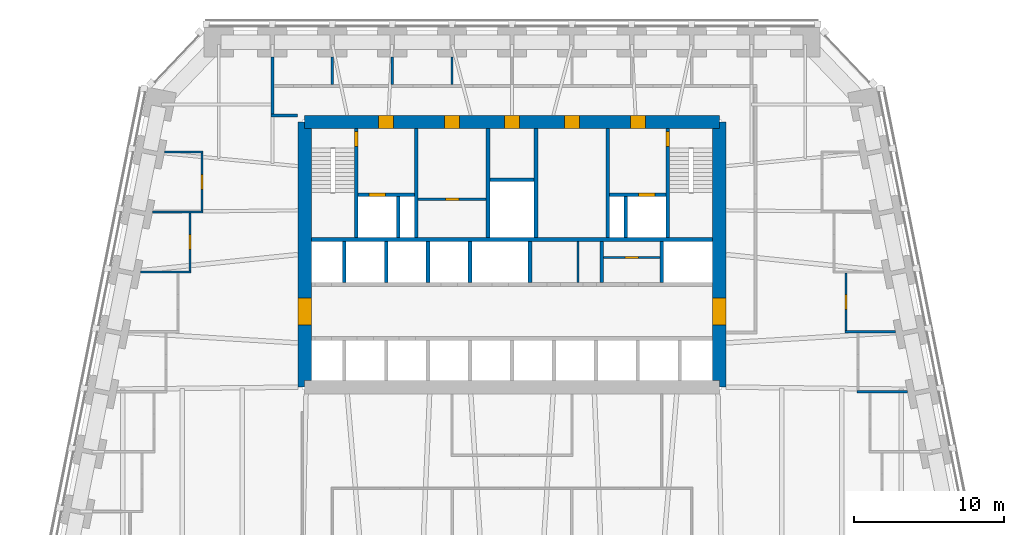
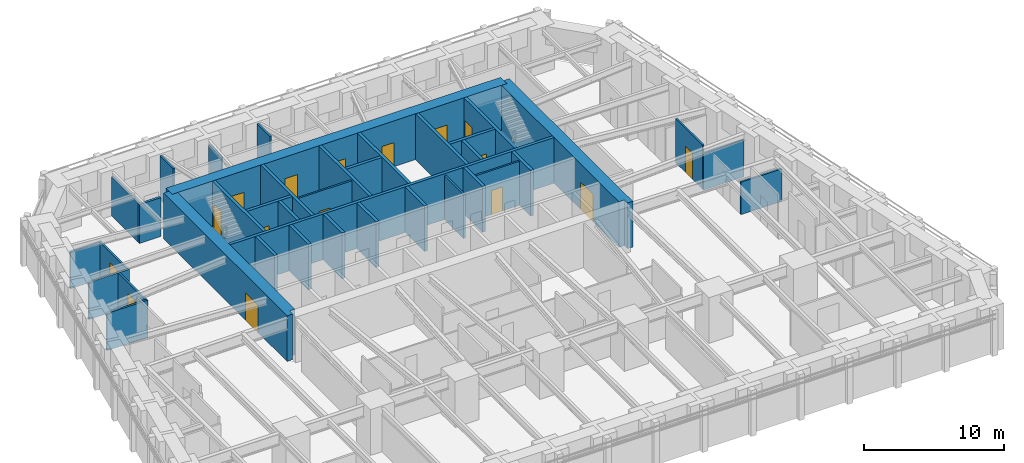
# One storey, part 7 of 10: 38 walls, 16 doors, 16 openings.
"""IFC4 building model written with IfcOpenShell, lengths in metres."""

from ifc_helpers import new_model, si_unit, direction, frame, frame_2d, origin, place, context, subcontext, project, spatial, polyline, rectangle, outline, extrude, material, layer, layer_set, type_object, element, fill, save


model = new_model("IFC4")

# Units and contexts
model_context = context("Model", 3, precision=1e-05, world=origin(), true_north=direction((0.0, 1.0)))
body_context = subcontext(model_context, "Body", "Model", "MODEL_VIEW")
ifc_project = project(units=[si_unit("LENGTHUNIT", "METRE"), si_unit("AREAUNIT", "SQUARE_METRE"), si_unit("VOLUMEUNIT", "CUBIC_METRE"), si_unit("PLANEANGLEUNIT", "RADIAN"), si_unit("MASSUNIT", "GRAM", prefix="KILO")], contexts=[model_context])

# Site, building, storey
site_placement = place(None, origin())
site = spatial("IfcSite", under=ifc_project, at=site_placement, CompositionType="ELEMENT")
building_placement = place(site_placement, origin())
building = spatial("IfcBuilding", under=site, at=building_placement, Name="Isbrekke Arena Tower", CompositionType="ELEMENT")
storey_placement = place(building_placement, frame((0.0, 0.0, 84.0)))
storey = spatial("IfcBuildingStorey", under=building, at=storey_placement, Name="L18", CompositionType="ELEMENT", Elevation=84.0)

# Wall, opening, door
ifc_material_1 = material(Name="Concrete B65 (C65/80)", Category="concrete")
ifc_layer_1 = layer(ifc_material_1, 0.89990234375)
ifc_layer_set_1 = layer_set([ifc_layer_1], Name="CW2 CORE WALL 900")
wall_type_1 = type_object("IfcWallType", Name="CW2 CORE WALL 900", PredefinedType="SHEAR", material=ifc_layer_set_1)
wall_1_placement = place(storey_placement, frame((13.85009765625, 6.14990234375, 0.0), z_axis=(0.0, 0.0, 1.0), x_axis=(0.0, 1.0, 0.0)))
wall_1 = element("IfcWall", 1, at=wall_1_placement, inside=storey, type_object=wall_type_1, Name="Core wall E L18", PredefinedType="SHEAR", context=body_context, shape_type="SweptSolid", body=[
    extrude(outline(polyline([(0.0, -0.449951171875), (17.7001953125, -0.449951171875), (17.7001953125, 0.0), (17.250244140625, 0.0), (17.250244140625, 0.449951171875), (0.449951171875, 0.449951171875), (0.449951171875, 0.0), (0.0, 0.0), (0.0, -0.449951171875)])), origin(), (0.0, 0.0, 1.0), 4.0),
])
opening_1_placement = place(wall_1_placement, frame((4.14990234375, 0.0, 0.0)))
opening_1 = element("IfcOpeningElement", 2, at=opening_1_placement, cuts=wall_1, Name="Opening D1", PredefinedType="OPENING", context=body_context, shape_type="SweptSolid", body=[
    extrude(rectangle(XDim=1.800048828125, YDim=2.39990234375, at=frame_2d((0.89990234375, 1.199951171875))), frame((0.0, 0.46484375, 0.0), z_axis=(0.0, -1.0, 0.0), x_axis=(1.0, 0.0, 0.0)), (0.0, 0.0, 1.0), 0.9296875),
])
ifc_material_2 = material(Name="Steel-framed glazed fire door", Category="steel")
door_type_1 = type_object("IfcDoorType", Name="D1 CORE LOBBY DOOR 1800 x 2400", OperationType="DOUBLE_DOOR_SINGLE_SWING", PredefinedType="DOOR", material=ifc_material_2)
door_1_placement = place(opening_1_placement, origin())
door_1 = element("IfcDoor", 3, at=door_1_placement, inside=storey, type_object=door_type_1, Name="D1 lift lobby door east L18", OperationType="DOUBLE_DOOR_SINGLE_SWING", OverallHeight=2.39990234375, OverallWidth=1.800048828125, PredefinedType="DOOR", context=body_context, shape_type="SweptSolid", body=[
    extrude(rectangle(XDim=1.800048828125, YDim=2.39990234375, at=frame_2d((0.89990234375, 1.199951171875))), frame((0.0, 0.44970703125, 0.0), z_axis=(0.0, -1.0, 0.0), x_axis=(1.0, 0.0, 0.0)), (0.0, 0.0, 1.0), 0.8994140625),
])
fill(opening_1, door_1)

# Wall, openings, doors
wall_2_placement = place(storey_placement, frame((13.85009765625, 23.85009765625, 0.0), z_axis=(0.0, 0.0, 1.0), x_axis=(-1.0, 0.0, 0.0)))
wall_2 = element("IfcWall", 4, at=wall_2_placement, inside=storey, type_object=wall_type_1, Name="Core wall N L18", PredefinedType="SHEAR", context=body_context, shape_type="SweptSolid", body=[
    extrude(rectangle(XDim=27.7001953125, YDim=0.89990234375, at=frame_2d((13.85009765625, 0.0))), origin(), (0.0, 0.0, 1.0), 4.0),
])
opening_2_placement = place(wall_2_placement, frame((21.75, 0.0, 0.0)))
opening_2 = element("IfcOpeningElement", 5, at=opening_2_placement, cuts=wall_2, Name="Opening D3", PredefinedType="OPENING", context=body_context, shape_type="SweptSolid", body=[
    extrude(rectangle(XDim=1.0, YDim=2.10009765625, at=frame_2d((0.5, 1.050048828125))), frame((0.0, 0.46484375, 0.0), z_axis=(0.0, -1.0, 0.0), x_axis=(1.0, 0.0, 0.0)), (0.0, 0.0, 1.0), 0.9296875),
])
opening_3_placement = place(wall_2_placement, frame((4.949951171875, 0.0, 0.0)))
opening_3 = element("IfcOpeningElement", 6, at=opening_3_placement, cuts=wall_2, Name="Opening D3", PredefinedType="OPENING", context=body_context, shape_type="SweptSolid", body=[
    extrude(rectangle(XDim=1.0, YDim=2.10009765625, at=frame_2d((0.5, 1.050048828125))), frame((0.0, 0.46484375, 0.0), z_axis=(0.0, -1.0, 0.0), x_axis=(1.0, 0.0, 0.0)), (0.0, 0.0, 1.0), 0.9296875),
])
opening_4_placement = place(wall_2_placement, frame((17.35009765625, 0.0, 0.0)))
opening_4 = element("IfcOpeningElement", 7, at=opening_4_placement, cuts=wall_2, Name="Opening D4", PredefinedType="OPENING", context=body_context, shape_type="SweptSolid", body=[
    extrude(rectangle(XDim=1.0, YDim=2.10009765625, at=frame_2d((0.5, 1.050048828125))), frame((0.0, 0.46484375, 0.0), z_axis=(0.0, -1.0, 0.0), x_axis=(1.0, 0.0, 0.0)), (0.0, 0.0, 1.0), 0.9296875),
])
opening_5_placement = place(wall_2_placement, frame((13.35009765625, 0.0, 0.0)))
opening_5 = element("IfcOpeningElement", 8, at=opening_5_placement, cuts=wall_2, Name="Opening D4", PredefinedType="OPENING", context=body_context, shape_type="SweptSolid", body=[
    extrude(rectangle(XDim=1.0, YDim=2.10009765625, at=frame_2d((0.5, 1.050048828125))), frame((0.0, 0.46484375, 0.0), z_axis=(0.0, -1.0, 0.0), x_axis=(1.0, 0.0, 0.0)), (0.0, 0.0, 1.0), 0.9296875),
])
opening_6_placement = place(wall_2_placement, frame((9.35009765625, 0.0, 0.0)))
opening_6 = element("IfcOpeningElement", 9, at=opening_6_placement, cuts=wall_2, Name="Opening D4", PredefinedType="OPENING", context=body_context, shape_type="SweptSolid", body=[
    extrude(rectangle(XDim=1.0, YDim=2.10009765625, at=frame_2d((0.5, 1.050048828125))), frame((0.0, 0.46484375, 0.0), z_axis=(0.0, -1.0, 0.0), x_axis=(1.0, 0.0, 0.0)), (0.0, 0.0, 1.0), 0.9296875),
])
ifc_material_3 = material(Name="Steel fire door", Category="steel")
door_type_2 = type_object("IfcDoorType", Name="D3 FIRE LOBBY DOOR 1000 x 2100", OperationType="SINGLE_SWING_RIGHT", PredefinedType="DOOR", material=ifc_material_3)
door_2_placement = place(opening_2_placement, origin())
door_2 = element("IfcDoor", 10, at=door_2_placement, inside=storey, type_object=door_type_2, Name="D3 fire-fighting lobby door L18", OperationType="SINGLE_SWING_RIGHT", OverallHeight=2.10009765625, OverallWidth=1.0, PredefinedType="DOOR", context=body_context, shape_type="SweptSolid", body=[
    extrude(rectangle(XDim=1.0, YDim=2.10009765625, at=frame_2d((0.5, 1.050048828125))), frame((0.0, 0.44970703125, 0.0), z_axis=(0.0, -1.0, 0.0), x_axis=(1.0, 0.0, 0.0)), (0.0, 0.0, 1.0), 0.8994140625),
])
fill(opening_2, door_2)
door_3_placement = place(opening_3_placement, origin())
door_3 = element("IfcDoor", 11, at=door_3_placement, inside=storey, type_object=door_type_2, Name="D3 fire-fighting lobby door L18", OperationType="SINGLE_SWING_RIGHT", OverallHeight=2.10009765625, OverallWidth=1.0, PredefinedType="DOOR", context=body_context, shape_type="SweptSolid", body=[
    extrude(rectangle(XDim=1.0, YDim=2.10009765625, at=frame_2d((0.5, 1.050048828125))), frame((0.0, 0.44970703125, 0.0), z_axis=(0.0, -1.0, 0.0), x_axis=(1.0, 0.0, 0.0)), (0.0, 0.0, 1.0), 0.8994140625),
])
fill(opening_3, door_3)
ifc_material_4 = material(Name="Timber door", Category="wood")
door_type_3 = type_object("IfcDoorType", Name="D4 WC DOOR 1000 x 2100", OperationType="SINGLE_SWING_LEFT", PredefinedType="DOOR", material=ifc_material_4)
door_4_placement = place(opening_4_placement, origin())
door_4 = element("IfcDoor", 12, at=door_4_placement, inside=storey, type_object=door_type_3, Name="D4 wc female door L18", OperationType="SINGLE_SWING_LEFT", OverallHeight=2.10009765625, OverallWidth=1.0, PredefinedType="DOOR", context=body_context, shape_type="SweptSolid", body=[
    extrude(rectangle(XDim=1.0, YDim=2.10009765625, at=frame_2d((0.5, 1.050048828125))), frame((0.0, 0.44970703125, 0.0), z_axis=(0.0, -1.0, 0.0), x_axis=(1.0, 0.0, 0.0)), (0.0, 0.0, 1.0), 0.8994140625),
])
fill(opening_4, door_4)
door_5_placement = place(opening_5_placement, origin())
door_5 = element("IfcDoor", 13, at=door_5_placement, inside=storey, type_object=door_type_3, Name="D4 accessible wc door L18", OperationType="SINGLE_SWING_LEFT", OverallHeight=2.10009765625, OverallWidth=1.0, PredefinedType="DOOR", context=body_context, shape_type="SweptSolid", body=[
    extrude(rectangle(XDim=1.0, YDim=2.10009765625, at=frame_2d((0.5, 1.050048828125))), frame((0.0, 0.44970703125, 0.0), z_axis=(0.0, -1.0, 0.0), x_axis=(1.0, 0.0, 0.0)), (0.0, 0.0, 1.0), 0.8994140625),
])
fill(opening_5, door_5)
door_6_placement = place(opening_6_placement, origin())
door_6 = element("IfcDoor", 14, at=door_6_placement, inside=storey, type_object=door_type_3, Name="D4 wc male door L18", OperationType="SINGLE_SWING_LEFT", OverallHeight=2.10009765625, OverallWidth=1.0, PredefinedType="DOOR", context=body_context, shape_type="SweptSolid", body=[
    extrude(rectangle(XDim=1.0, YDim=2.10009765625, at=frame_2d((0.5, 1.050048828125))), frame((0.0, 0.44970703125, 0.0), z_axis=(0.0, -1.0, 0.0), x_axis=(1.0, 0.0, 0.0)), (0.0, 0.0, 1.0), 0.8994140625),
])
fill(opening_6, door_6)

# Wall, opening, door
wall_3_placement = place(storey_placement, frame((-13.85009765625, 23.85009765625, 0.0), z_axis=(0.0, 0.0, 1.0), x_axis=(0.0, -1.0, 0.0)))
wall_3 = element("IfcWall", 15, at=wall_3_placement, inside=storey, type_object=wall_type_1, Name="Core wall W L18", PredefinedType="SHEAR", context=body_context, shape_type="SweptSolid", body=[
    extrude(outline(polyline([(0.0, -0.449951171875), (17.7001953125, -0.449951171875), (17.7001953125, 0.0), (17.250244140625, 0.0), (17.250244140625, 0.449951171875), (0.449951171875, 0.449951171875), (0.449951171875, 0.0), (0.0, 0.0), (0.0, -0.449951171875)])), origin(), (0.0, 0.0, 1.0), 4.0),
])
opening_7_placement = place(wall_3_placement, frame((11.75, 0.0, 0.0)))
opening_7 = element("IfcOpeningElement", 16, at=opening_7_placement, cuts=wall_3, Name="Opening D1", PredefinedType="OPENING", context=body_context, shape_type="SweptSolid", body=[
    extrude(rectangle(XDim=1.800048828125, YDim=2.39990234375, at=frame_2d((0.89990234375, 1.199951171875))), frame((0.0, 0.46484375, 0.0), z_axis=(0.0, -1.0, 0.0), x_axis=(1.0, 0.0, 0.0)), (0.0, 0.0, 1.0), 0.9296875),
])
door_7_placement = place(opening_7_placement, origin())
door_7 = element("IfcDoor", 17, at=door_7_placement, inside=storey, type_object=door_type_1, Name="D1 lift lobby door west L18", OperationType="DOUBLE_DOOR_SINGLE_SWING", OverallHeight=2.39990234375, OverallWidth=1.800048828125, PredefinedType="DOOR", context=body_context, shape_type="SweptSolid", body=[
    extrude(rectangle(XDim=1.800048828125, YDim=2.39990234375, at=frame_2d((0.89990234375, 1.199951171875))), frame((0.0, 0.44970703125, 0.0), z_axis=(0.0, -1.0, 0.0), x_axis=(1.0, 0.0, 0.0)), (0.0, 0.0, 1.0), 0.8994140625),
])
fill(opening_7, door_7)

# Walls
ifc_material_5 = material(Name="Concrete B45 (C45/55)", Category="concrete")
ifc_layer_2 = layer(ifc_material_5, 0.25)
ifc_layer_set_2 = layer_set([ifc_layer_2], Name="CW6 SHAFT WALL 250")
wall_type_2 = type_object("IfcWallType", Name="CW6 SHAFT WALL 250", PredefinedType="SHEAR", material=ifc_layer_set_2)
wall_4_placement = place(storey_placement, frame((-13.39990234375, 16.0, 0.0), z_axis=(0.0, 0.0, 1.0), x_axis=(1.0, 0.0, 0.0)))
element("IfcWall", 18, at=wall_4_placement, inside=storey, type_object=wall_type_2, Name="Core wall NB L18", PredefinedType="SHEAR", context=body_context, shape_type="SweptSolid", body=[
    extrude(rectangle(XDim=26.7998046875, YDim=0.25, at=frame_2d((13.39990234375, 0.0))), origin(), (0.0, 0.0, 1.0), 4.0),
])
for number, where, z_axis, x_axis, name in (
    (19, (-11.199951171875, 13.125, 0.0), (0.0, 0.0, 1.0), (0.0, 1.0, 0.0), "Core wall SN01 L18"),
    (20, (-8.39990234375, 13.125, 0.0), (0.0, 0.0, 1.0), (0.0, 1.0, 0.0), "Core wall SN02 L18"),
    (21, (-5.60009765625, 13.125, 0.0), (0.0, 0.0, 1.0), (0.0, 1.0, 0.0), "Core wall SN03 L18"),
    (22, (-2.800048828125, 13.125, 0.0), (0.0, 0.0, 1.0), (0.0, 1.0, 0.0), "Core wall SN04 L18"),
    (23, (1.199951171875, 13.125, 0.0), (0.0, 0.0, 1.0), (0.0, 1.0, 0.0), "Core wall SN05 L18"),
    (24, (6.0, 13.125, 0.0), (0.0, 0.0, 1.0), (0.0, 1.0, 0.0), "Core wall SN06 L18"),
    (25, (10.0, 13.125, 0.0), (0.0, 0.0, 1.0), (0.0, 1.0, 0.0), "Core wall SN07 L18"),
):
    element("IfcWall", number, at=place(storey_placement, frame(where, z_axis=z_axis, x_axis=x_axis)), inside=storey, type_object=wall_type_2, Name=name, PredefinedType="SHEAR", context=body_context, shape_type="SweptSolid", body=[
        extrude(rectangle(XDim=2.75, YDim=0.25, at=frame_2d((1.375, 0.0))), origin(), (0.0, 0.0, 1.0), 4.0),
    ])

# Wall, opening, door
wall_5_placement = place(storey_placement, frame((-10.39990234375, 16.125, 0.0), z_axis=(0.0, 0.0, 1.0), x_axis=(0.0, 1.0, 0.0)))
wall_5 = element("IfcWall", 26, at=wall_5_placement, inside=storey, type_object=wall_type_2, Name="Core wall NV01 L18", PredefinedType="SHEAR", context=body_context, shape_type="SweptSolid", body=[
    extrude(rectangle(XDim=7.27490234375, YDim=0.25, at=frame_2d((3.637451171875, 0.0))), origin(), (0.0, 0.0, 1.0), 4.0),
])
opening_8_placement = place(wall_5_placement, frame((6.074951171875, 0.0, 0.0)))
opening_8 = element("IfcOpeningElement", 27, at=opening_8_placement, cuts=wall_5, Name="Opening D2", PredefinedType="OPENING", context=body_context, shape_type="SweptSolid", body=[
    extrude(rectangle(XDim=1.0, YDim=2.10009765625, at=frame_2d((0.5, 1.050048828125))), frame((0.0, 0.139892578125, 0.0), z_axis=(0.0, -1.0, 0.0), x_axis=(1.0, 0.0, 0.0)), (0.0, 0.0, 1.0), 0.27978515625),
])
ifc_material_6 = material(Name="Steel fire door", Category="steel")
door_type_4 = type_object("IfcDoorType", Name="D2 STAIR DOOR 1000 x 2100", OperationType="SINGLE_SWING_LEFT", PredefinedType="DOOR", material=ifc_material_6)
door_8_placement = place(opening_8_placement, origin())
door_8 = element("IfcDoor", 28, at=door_8_placement, inside=storey, type_object=door_type_4, Name="D2 stair door ST1 L18", OperationType="SINGLE_SWING_LEFT", OverallHeight=2.10009765625, OverallWidth=1.0, PredefinedType="DOOR", context=body_context, shape_type="SweptSolid", body=[
    extrude(rectangle(XDim=1.0, YDim=2.10009765625, at=frame_2d((0.5, 1.050048828125))), frame((0.0, 0.124755859375, 0.0), z_axis=(0.0, -1.0, 0.0), x_axis=(1.0, 0.0, 0.0)), (0.0, 0.0, 1.0), 0.24951171875),
])
fill(opening_8, door_8)

# Walls
for number, where, z_axis, x_axis, name in (
    (29, (-6.39990234375, 16.125, 0.0), (0.0, 0.0, 1.0), (0.0, 1.0, 0.0), "Core wall NV02 L18"),
    (30, (-1.60009765625, 16.125, 0.0), (0.0, 0.0, 1.0), (0.0, 1.0, 0.0), "Core wall NV03 L18"),
    (31, (1.60009765625, 16.125, 0.0), (0.0, 0.0, 1.0), (0.0, 1.0, 0.0), "Core wall NV04 L18"),
    (32, (6.39990234375, 16.125, 0.0), (0.0, 0.0, 1.0), (0.0, 1.0, 0.0), "Core wall NV05 L18"),
):
    element("IfcWall", number, at=place(storey_placement, frame(where, z_axis=z_axis, x_axis=x_axis)), inside=storey, type_object=wall_type_2, Name=name, PredefinedType="SHEAR", context=body_context, shape_type="SweptSolid", body=[
        extrude(rectangle(XDim=7.27490234375, YDim=0.25, at=frame_2d((3.637451171875, 0.0))), origin(), (0.0, 0.0, 1.0), 4.0),
    ])

# Wall, opening, door
wall_6_placement = place(storey_placement, frame((10.39990234375, 16.125, 0.0), z_axis=(0.0, 0.0, 1.0), x_axis=(0.0, 1.0, 0.0)))
wall_6 = element("IfcWall", 33, at=wall_6_placement, inside=storey, type_object=wall_type_2, Name="Core wall NV06 L18", PredefinedType="SHEAR", context=body_context, shape_type="SweptSolid", body=[
    extrude(rectangle(XDim=7.27490234375, YDim=0.25, at=frame_2d((3.637451171875, 0.0))), origin(), (0.0, 0.0, 1.0), 4.0),
])
opening_9_placement = place(wall_6_placement, frame((6.074951171875, 0.0, 0.0)))
opening_9 = element("IfcOpeningElement", 34, at=opening_9_placement, cuts=wall_6, Name="Opening D2", PredefinedType="OPENING", context=body_context, shape_type="SweptSolid", body=[
    extrude(rectangle(XDim=1.0, YDim=2.10009765625, at=frame_2d((0.5, 1.050048828125))), frame((0.0, 0.139892578125, 0.0), z_axis=(0.0, -1.0, 0.0), x_axis=(1.0, 0.0, 0.0)), (0.0, 0.0, 1.0), 0.27978515625),
])
door_9_placement = place(opening_9_placement, origin())
door_9 = element("IfcDoor", 35, at=door_9_placement, inside=storey, type_object=door_type_4, Name="D2 stair door ST2 L18", OperationType="SINGLE_SWING_LEFT", OverallHeight=2.10009765625, OverallWidth=1.0, PredefinedType="DOOR", context=body_context, shape_type="SweptSolid", body=[
    extrude(rectangle(XDim=1.0, YDim=2.10009765625, at=frame_2d((0.5, 1.050048828125))), frame((0.0, 0.124755859375, 0.0), z_axis=(0.0, -1.0, 0.0), x_axis=(1.0, 0.0, 0.0)), (0.0, 0.0, 1.0), 0.24951171875),
])
fill(opening_9, door_9)

wall_7_placement = place(storey_placement, frame((-10.27490234375, 19.0, 0.0), z_axis=(0.0, 0.0, 1.0), x_axis=(1.0, 0.0, 0.0)))
wall_7 = element("IfcWall", 36, at=wall_7_placement, inside=storey, type_object=wall_type_2, Name="Core wall NFW L18", PredefinedType="SHEAR", context=body_context, shape_type="SweptSolid", body=[
    extrude(rectangle(XDim=3.75, YDim=0.25, at=frame_2d((1.875, 0.0))), origin(), (0.0, 0.0, 1.0), 4.0),
])
opening_10_placement = place(wall_7_placement, frame((0.72509765625, 0.0, 0.0)))
opening_10 = element("IfcOpeningElement", 37, at=opening_10_placement, cuts=wall_7, Name="Opening LD2", PredefinedType="OPENING", context=body_context, shape_type="SweptSolid", body=[
    extrude(rectangle(XDim=1.10009765625, YDim=2.10009765625, at=frame_2d((0.550048828125, 1.050048828125))), frame((0.0, 0.139892578125, 0.0), z_axis=(0.0, -1.0, 0.0), x_axis=(1.0, 0.0, 0.0)), (0.0, 0.0, 1.0), 0.27978515625),
])
ifc_material_7 = material(Name="Stainless steel lift landing door", Category="steel")
door_type_5 = type_object("IfcDoorType", Name="LD2 FIRE-FIGHTING LIFT LANDING DOOR 1100 x 2100", OperationType="SLIDING_TO_RIGHT", PredefinedType="DOOR", material=ifc_material_7)
door_10_placement = place(opening_10_placement, origin())
door_10 = element("IfcDoor", 38, at=door_10_placement, inside=storey, type_object=door_type_5, Name="LD2 lift landing door LF L18", OperationType="SLIDING_TO_RIGHT", OverallHeight=2.10009765625, OverallWidth=1.10009765625, PredefinedType="DOOR", context=body_context, shape_type="SweptSolid", body=[
    extrude(rectangle(XDim=1.10009765625, YDim=2.10009765625, at=frame_2d((0.550048828125, 1.050048828125))), frame((0.0, 0.124755859375, 0.0), z_axis=(0.0, -1.0, 0.0), x_axis=(1.0, 0.0, 0.0)), (0.0, 0.0, 1.0), 0.24951171875),
])
fill(opening_10, door_10)

wall_8_placement = place(storey_placement, frame((6.52490234375, 19.0, 0.0), z_axis=(0.0, 0.0, 1.0), x_axis=(1.0, 0.0, 0.0)))
wall_8 = element("IfcWall", 39, at=wall_8_placement, inside=storey, type_object=wall_type_2, Name="Core wall NFE L18", PredefinedType="SHEAR", context=body_context, shape_type="SweptSolid", body=[
    extrude(rectangle(XDim=3.75, YDim=0.25, at=frame_2d((1.875, 0.0))), origin(), (0.0, 0.0, 1.0), 4.0),
])
opening_11_placement = place(wall_8_placement, frame((1.925048828125, 0.0, 0.0)))
opening_11 = element("IfcOpeningElement", 40, at=opening_11_placement, cuts=wall_8, Name="Opening LD2", PredefinedType="OPENING", context=body_context, shape_type="SweptSolid", body=[
    extrude(rectangle(XDim=1.10009765625, YDim=2.10009765625, at=frame_2d((0.550048828125, 1.050048828125))), frame((0.0, 0.139892578125, 0.0), z_axis=(0.0, -1.0, 0.0), x_axis=(1.0, 0.0, 0.0)), (0.0, 0.0, 1.0), 0.27978515625),
])
door_11_placement = place(opening_11_placement, origin())
door_11 = element("IfcDoor", 41, at=door_11_placement, inside=storey, type_object=door_type_5, Name="LD2 lift landing door LF L18", OperationType="SLIDING_TO_RIGHT", OverallHeight=2.10009765625, OverallWidth=1.10009765625, PredefinedType="DOOR", context=body_context, shape_type="SweptSolid", body=[
    extrude(rectangle(XDim=1.10009765625, YDim=2.10009765625, at=frame_2d((0.550048828125, 1.050048828125))), frame((0.0, 0.124755859375, 0.0), z_axis=(0.0, -1.0, 0.0), x_axis=(1.0, 0.0, 0.0)), (0.0, 0.0, 1.0), 0.24951171875),
])
fill(opening_11, door_11)

# Walls
for number, where, z_axis, x_axis, name in (
    (42, (-7.60009765625, 16.125, 0.0), (0.0, 0.0, 1.0), (0.0, 1.0, 0.0), "Core wall NFS1 L18"),
    (43, (7.60009765625, 16.125, 0.0), (0.0, 0.0, 1.0), (0.0, 1.0, 0.0), "Core wall NFS2 L18"),
):
    element("IfcWall", number, at=place(storey_placement, frame(where, z_axis=z_axis, x_axis=x_axis)), inside=storey, type_object=wall_type_2, Name=name, PredefinedType="SHEAR", context=body_context, shape_type="SweptSolid", body=[
        extrude(rectangle(XDim=2.75, YDim=0.25, at=frame_2d((1.375, 0.0))), origin(), (0.0, 0.0, 1.0), 4.0),
    ])
wall_9_placement = place(storey_placement, frame((-1.47509765625, 20.0, 0.0), z_axis=(0.0, 0.0, 1.0), x_axis=(1.0, 0.0, 0.0)))
element("IfcWall", 44, at=wall_9_placement, inside=storey, type_object=wall_type_2, Name="Core wall NWC L18", PredefinedType="SHEAR", context=body_context, shape_type="SweptSolid", body=[
    extrude(rectangle(XDim=2.9501953125, YDim=0.25, at=frame_2d((1.47509765625, 0.0))), origin(), (0.0, 0.0, 1.0), 4.0),
])
ifc_material_8 = material(Name="Gypsum board partition on steel studs", Category="steel")
ifc_layer_3 = layer(ifc_material_8, 0.14990234375)
ifc_layer_set_3 = layer_set([ifc_layer_3], Name="IW1 PARTITION 150")
wall_type_3 = type_object("IfcWallType", Name="IW1 PARTITION 150", PredefinedType="PARTITIONING", material=ifc_layer_set_3)
wall_10_placement = place(storey_placement, frame((23.02490234375, 5.840087890625, 0.0), z_axis=(0.0, 0.0, 1.0), x_axis=(1.0, 0.0, 0.0)))
element("IfcWall", 45, at=wall_10_placement, inside=storey, type_object=wall_type_3, Name="IW1 partition 150 L18", PredefinedType="PARTITIONING", context=body_context, shape_type="SweptSolid", body=[
    extrude(rectangle(XDim=3.37158203125, YDim=0.14990234375, at=frame_2d((1.685791015625, 0.0))), origin(), (0.0, 0.0, 1.0), 2.842041015625),
])
for number, where, z_axis, x_axis, name in (
    (46, (22.22509765625, 9.840087890625, 0.0), (0.0, 0.0, 1.0), (1.0, 0.0, 0.0), "IW1 partition 150 L18"),
    (47, (-24.79638671875, 13.840087890625, 0.0), (0.0, 0.0, 1.0), (1.0, 0.0, 0.0), "IW1 partition 150 L18"),
    (48, (-23.996337890625, 17.840087890625, 0.0), (0.0, 0.0, 1.0), (1.0, 0.0, 0.0), "IW1 partition 150 L18"),
):
    element("IfcWall", number, at=place(storey_placement, frame(where, z_axis=z_axis, x_axis=x_axis)), inside=storey, type_object=wall_type_3, Name=name, PredefinedType="PARTITIONING", context=body_context, shape_type="SweptSolid", body=[
        extrude(rectangle(XDim=3.371337890625, YDim=0.14990234375, at=frame_2d((1.685546875, 0.0))), origin(), (0.0, 0.0, 1.0), 3.25),
    ])
wall_11_placement = place(storey_placement, frame((-23.1962890625, 21.840087890625, 0.0), z_axis=(0.0, 0.0, 1.0), x_axis=(1.0, 0.0, 0.0)))
element("IfcWall", 49, at=wall_11_placement, inside=storey, type_object=wall_type_3, Name="IW1 partition 150 L18", PredefinedType="PARTITIONING", context=body_context, shape_type="SweptSolid", body=[
    extrude(rectangle(XDim=2.5712890625, YDim=0.14990234375, at=frame_2d((1.28564453125, 0.0))), origin(), (0.0, 0.0, 1.0), 3.25),
])

# Wall, opening, door
wall_12_placement = place(storey_placement, frame((-21.5, 13.9150390625, 0.0), z_axis=(0.0, 0.0, 1.0), x_axis=(0.0, 1.0, 0.0)))
wall_12 = element("IfcWall", 50, at=wall_12_placement, inside=storey, type_object=wall_type_3, Name="IW1 partition 150 L18", PredefinedType="PARTITIONING", context=body_context, shape_type="SweptSolid", body=[
    extrude(rectangle(XDim=3.849853515625, YDim=0.14990234375, at=frame_2d((1.9248046875, 0.0))), origin(), (0.0, 0.0, 1.0), 3.25),
])
opening_12_placement = place(wall_12_placement, frame((1.425048828125, 0.0, 0.0)))
opening_12 = element("IfcOpeningElement", 51, at=opening_12_placement, cuts=wall_12, Name="Opening D10", PredefinedType="OPENING", context=body_context, shape_type="SweptSolid", body=[
    extrude(rectangle(XDim=1.0, YDim=2.300048828125, at=frame_2d((0.5, 1.14990234375))), frame((0.0, 0.08984375, 0.0), z_axis=(0.0, -1.0, 0.0), x_axis=(1.0, 0.0, 0.0)), (0.0, 0.0, 1.0), 0.1796875),
])
ifc_material_9 = material(Name="Timber door", Category="wood")
door_type_6 = type_object("IfcDoorType", Name="D10 OFFICE DOOR 1000 x 2300", OperationType="SINGLE_SWING_LEFT", PredefinedType="DOOR", material=ifc_material_9)
door_12_placement = place(opening_12_placement, origin())
door_12 = element("IfcDoor", 52, at=door_12_placement, inside=storey, type_object=door_type_6, Name="D10 office door L18", OperationType="SINGLE_SWING_LEFT", OverallHeight=2.300048828125, OverallWidth=1.0, PredefinedType="DOOR", context=body_context, shape_type="SweptSolid", body=[
    extrude(rectangle(XDim=1.0, YDim=2.300048828125, at=frame_2d((0.5, 1.14990234375))), frame((0.0, 0.07470703125, 0.0), z_axis=(0.0, -1.0, 0.0), x_axis=(1.0, 0.0, 0.0)), (0.0, 0.0, 1.0), 0.1494140625),
])
fill(opening_12, door_12)

wall_13_placement = place(storey_placement, frame((-20.699951171875, 17.9150390625, 0.0), z_axis=(0.0, 0.0, 1.0), x_axis=(0.0, 1.0, 0.0)))
wall_13 = element("IfcWall", 53, at=wall_13_placement, inside=storey, type_object=wall_type_3, Name="IW1 partition 150 L18", PredefinedType="PARTITIONING", context=body_context, shape_type="SweptSolid", body=[
    extrude(rectangle(XDim=3.849853515625, YDim=0.14990234375, at=frame_2d((1.9248046875, 0.0))), origin(), (0.0, 0.0, 1.0), 3.25),
])
opening_13_placement = place(wall_13_placement, frame((1.425048828125, 0.0, 0.0)))
opening_13 = element("IfcOpeningElement", 54, at=opening_13_placement, cuts=wall_13, Name="Opening D10", PredefinedType="OPENING", context=body_context, shape_type="SweptSolid", body=[
    extrude(rectangle(XDim=1.0, YDim=2.300048828125, at=frame_2d((0.5, 1.14990234375))), frame((0.0, 0.08984375, 0.0), z_axis=(0.0, -1.0, 0.0), x_axis=(1.0, 0.0, 0.0)), (0.0, 0.0, 1.0), 0.1796875),
])
door_13_placement = place(opening_13_placement, origin())
door_13 = element("IfcDoor", 55, at=door_13_placement, inside=storey, type_object=door_type_6, Name="D10 office door L18", OperationType="SINGLE_SWING_LEFT", OverallHeight=2.300048828125, OverallWidth=1.0, PredefinedType="DOOR", context=body_context, shape_type="SweptSolid", body=[
    extrude(rectangle(XDim=1.0, YDim=2.300048828125, at=frame_2d((0.5, 1.14990234375))), frame((0.0, 0.07470703125, 0.0), z_axis=(0.0, -1.0, 0.0), x_axis=(1.0, 0.0, 0.0)), (0.0, 0.0, 1.0), 0.1494140625),
])
fill(opening_13, door_13)

# Walls
wall_14_placement = place(storey_placement, frame((-12.0, 26.35009765625, 0.0), z_axis=(0.0, 0.0, 1.0), x_axis=(0.0, 1.0, 0.0)))
element("IfcWall", 56, at=wall_14_placement, inside=storey, type_object=wall_type_3, Name="IW1 partition 150 L18", PredefinedType="PARTITIONING", context=body_context, shape_type="SweptSolid", body=[
    extrude(rectangle(XDim=1.849853515625, YDim=0.14990234375, at=frame_2d((0.9248046875, 0.0))), origin(), (0.0, 0.0, 1.0), 3.85009765625),
])
wall_15_placement = place(storey_placement, frame((-8.0, 26.35009765625, 0.0), z_axis=(0.0, 0.0, 1.0), x_axis=(0.0, 1.0, 0.0)))
element("IfcWall", 57, at=wall_15_placement, inside=storey, type_object=wall_type_3, Name="IW1 partition 150 L18", PredefinedType="PARTITIONING", context=body_context, shape_type="SweptSolid", body=[
    extrude(rectangle(XDim=1.849853515625, YDim=0.14990234375, at=frame_2d((0.9248046875, 0.0))), origin(), (0.0, 0.0, 1.0), 3.39990234375),
])
wall_16_placement = place(storey_placement, frame((-4.0, 26.35009765625, 0.0), z_axis=(0.0, 0.0, 1.0), x_axis=(0.0, 1.0, 0.0)))
element("IfcWall", 58, at=wall_16_placement, inside=storey, type_object=wall_type_3, Name="IW1 partition 150 L18", PredefinedType="PARTITIONING", context=body_context, shape_type="SweptSolid", body=[
    extrude(rectangle(XDim=1.849853515625, YDim=0.14990234375, at=frame_2d((0.9248046875, 0.0))), origin(), (0.0, 0.0, 1.0), 3.85009765625),
])

# Wall, opening, door
wall_17_placement = place(storey_placement, frame((22.300048828125, 9.9150390625, 0.0), z_axis=(0.0, 0.0, 1.0), x_axis=(0.0, 1.0, 0.0)))
wall_17 = element("IfcWall", 59, at=wall_17_placement, inside=storey, type_object=wall_type_3, Name="IW1 partition 150 L18", PredefinedType="PARTITIONING", context=body_context, shape_type="SweptSolid", body=[
    extrude(rectangle(XDim=3.849853515625, YDim=0.14990234375, at=frame_2d((1.9248046875, 0.0))), origin(), (0.0, 0.0, 1.0), 3.85009765625),
])
opening_14_placement = place(wall_17_placement, frame((1.425048828125, 0.0, 0.0)))
opening_14 = element("IfcOpeningElement", 60, at=opening_14_placement, cuts=wall_17, Name="Opening D10", PredefinedType="OPENING", context=body_context, shape_type="SweptSolid", body=[
    extrude(rectangle(XDim=1.0, YDim=2.300048828125, at=frame_2d((0.5, 1.14990234375))), frame((0.0, 0.08984375, 0.0), z_axis=(0.0, -1.0, 0.0), x_axis=(1.0, 0.0, 0.0)), (0.0, 0.0, 1.0), 0.1796875),
])
door_14_placement = place(opening_14_placement, origin())
door_14 = element("IfcDoor", 61, at=door_14_placement, inside=storey, type_object=door_type_6, Name="D10 office door L18", OperationType="SINGLE_SWING_LEFT", OverallHeight=2.300048828125, OverallWidth=1.0, PredefinedType="DOOR", context=body_context, shape_type="SweptSolid", body=[
    extrude(rectangle(XDim=1.0, YDim=2.300048828125, at=frame_2d((0.5, 1.14990234375))), frame((0.0, 0.07470703125, 0.0), z_axis=(0.0, -1.0, 0.0), x_axis=(1.0, 0.0, 0.0)), (0.0, 0.0, 1.0), 0.1494140625),
])
fill(opening_14, door_14)

# Walls
ifc_material_10 = material(Name="Gypsum board fire-cell wall on steel studs, two layers each side", Category="steel")
ifc_layer_4 = layer(ifc_material_10, 0.199951171875)
ifc_layer_set_4 = layer_set([ifc_layer_4], Name="IW3 FIRE-CELL WALL 200")
wall_type_4 = type_object("IfcWallType", Name="IW3 FIRE-CELL WALL 200", PredefinedType="PARTITIONING", material=ifc_layer_set_4)
wall_18_placement = place(storey_placement, frame((-16.10009765625, 24.300048828125, 0.0), z_axis=(0.0, 0.0, 1.0), x_axis=(1.0, 0.0, 0.0)))
element("IfcWall", 62, at=wall_18_placement, inside=storey, type_object=wall_type_4, Name="IW3 fire-cell wall 200 L18", PredefinedType="PARTITIONING", context=body_context, shape_type="SweptSolid", body=[
    extrude(rectangle(XDim=1.77001953125, YDim=0.199951171875, at=frame_2d((0.885009765625, 0.0))), origin(), (0.0, 0.0, 1.0), 3.39990234375),
])
wall_19_placement = place(storey_placement, frame((-16.0, 24.39990234375, 0.0), z_axis=(0.0, 0.0, 1.0), x_axis=(0.0, 1.0, 0.0)))
element("IfcWall", 63, at=wall_19_placement, inside=storey, type_object=wall_type_4, Name="IW3 fire-cell wall 200 L18", PredefinedType="PARTITIONING", context=body_context, shape_type="SweptSolid", body=[
    extrude(rectangle(XDim=3.800048828125, YDim=0.199951171875, at=frame_2d((1.89990234375, 0.0))), origin(), (0.0, 0.0, 1.0), 3.39990234375),
])

# Wall, opening, door
ifc_material_11 = material(Name="Gypsum board fire-rated partition on steel studs, two layers each side", Category="steel")
ifc_layer_5 = layer(ifc_material_11, 0.14990234375)
ifc_layer_set_5 = layer_set([ifc_layer_5], Name="IW5 FIRE-RATED PARTITION 150")
wall_type_5 = type_object("IfcWallType", Name="IW5 FIRE-RATED PARTITION 150", PredefinedType="PARTITIONING", material=ifc_layer_set_5)
wall_20_placement = place(storey_placement, frame((-6.27490234375, 18.699951171875, 0.0), z_axis=(0.0, 0.0, 1.0), x_axis=(1.0, 0.0, 0.0)))
wall_20 = element("IfcWall", 64, at=wall_20_placement, inside=storey, type_object=wall_type_5, Name="IW5 fire-rated partition L18 cleaner's store F", PredefinedType="PARTITIONING", context=body_context, shape_type="SweptSolid", body=[
    extrude(rectangle(XDim=4.5498046875, YDim=0.14990234375, at=frame_2d((2.27490234375, 0.0))), origin(), (0.0, 0.0, 1.0), 3.85009765625),
])
opening_15_placement = place(wall_20_placement, frame((1.824951171875, 0.0, 0.0)))
opening_15 = element("IfcOpeningElement", 65, at=opening_15_placement, cuts=wall_20, Name="Opening D5", PredefinedType="OPENING", context=body_context, shape_type="SweptSolid", body=[
    extrude(rectangle(XDim=0.89990234375, YDim=2.10009765625, at=frame_2d((0.449951171875, 1.050048828125))), frame((0.0, 0.08984375, 0.0), z_axis=(0.0, -1.0, 0.0), x_axis=(1.0, 0.0, 0.0)), (0.0, 0.0, 1.0), 0.1796875),
])
ifc_material_12 = material(Name="Steel fire door", Category="steel")
door_type_7 = type_object("IfcDoorType", Name="D5 SERVICE DOOR 900 x 2100", OperationType="SINGLE_SWING_LEFT", PredefinedType="DOOR", material=ifc_material_12)
door_15_placement = place(opening_15_placement, origin())
door_15 = element("IfcDoor", 66, at=door_15_placement, inside=storey, type_object=door_type_7, Name="D5 cleaner's store door L18", OperationType="SINGLE_SWING_LEFT", OverallHeight=2.10009765625, OverallWidth=0.89990234375, PredefinedType="DOOR", context=body_context, shape_type="SweptSolid", body=[
    extrude(rectangle(XDim=0.89990234375, YDim=2.10009765625, at=frame_2d((0.449951171875, 1.050048828125))), frame((0.0, 0.07470703125, 0.0), z_axis=(0.0, -1.0, 0.0), x_axis=(1.0, 0.0, 0.0)), (0.0, 0.0, 1.0), 0.1494140625),
])
fill(opening_15, door_15)

# Wall
wall_21_placement = place(storey_placement, frame((4.39990234375, 13.125, 0.0), z_axis=(0.0, 0.0, 1.0), x_axis=(0.0, 1.0, 0.0)))
element("IfcWall", 67, at=wall_21_placement, inside=storey, type_object=wall_type_5, Name="IW5 fire-rated partition L18 core service rooms 1", PredefinedType="PARTITIONING", context=body_context, shape_type="SweptSolid", body=[
    extrude(rectangle(XDim=2.75, YDim=0.14990234375, at=frame_2d((1.375, 0.0))), origin(), (0.0, 0.0, 1.0), 3.85009765625),
])

# Wall, opening, door
wall_22_placement = place(storey_placement, frame((6.125, 14.800048828125, 0.0), z_axis=(0.0, 0.0, 1.0), x_axis=(1.0, 0.0, 0.0)))
wall_22 = element("IfcWall", 68, at=wall_22_placement, inside=storey, type_object=wall_type_5, Name="IW5 fire-rated partition L18 core service rooms 2", PredefinedType="PARTITIONING", context=body_context, shape_type="SweptSolid", body=[
    extrude(rectangle(XDim=3.75, YDim=0.14990234375, at=frame_2d((1.875, 0.0))), origin(), (0.0, 0.0, 1.0), 3.85009765625),
])
opening_16_placement = place(wall_22_placement, frame((1.425048828125, 0.0, 0.0)))
opening_16 = element("IfcOpeningElement", 69, at=opening_16_placement, cuts=wall_22, Name="Opening D5", PredefinedType="OPENING", context=body_context, shape_type="SweptSolid", body=[
    extrude(rectangle(XDim=0.89990234375, YDim=2.10009765625, at=frame_2d((0.449951171875, 1.050048828125))), frame((0.0, 0.08984375, 0.0), z_axis=(0.0, -1.0, 0.0), x_axis=(1.0, 0.0, 0.0)), (0.0, 0.0, 1.0), 0.1796875),
])
door_16_placement = place(opening_16_placement, origin())
door_16 = element("IfcDoor", 70, at=door_16_placement, inside=storey, type_object=door_type_7, Name="D5 technical room door L18", OperationType="SINGLE_SWING_LEFT", OverallHeight=2.10009765625, OverallWidth=0.89990234375, PredefinedType="DOOR", context=body_context, shape_type="SweptSolid", body=[
    extrude(rectangle(XDim=0.89990234375, YDim=2.10009765625, at=frame_2d((0.449951171875, 1.050048828125))), frame((0.0, 0.07470703125, 0.0), z_axis=(0.0, -1.0, 0.0), x_axis=(1.0, 0.0, 0.0)), (0.0, 0.0, 1.0), 0.1494140625),
])
fill(opening_16, door_16)

save(model, "model.ifc")
